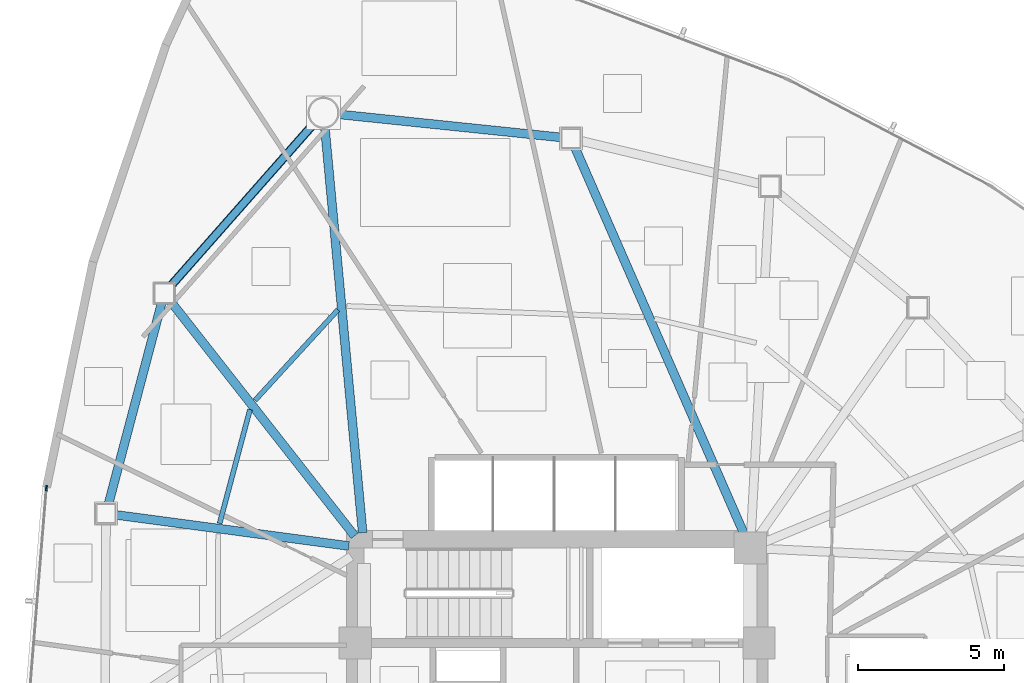
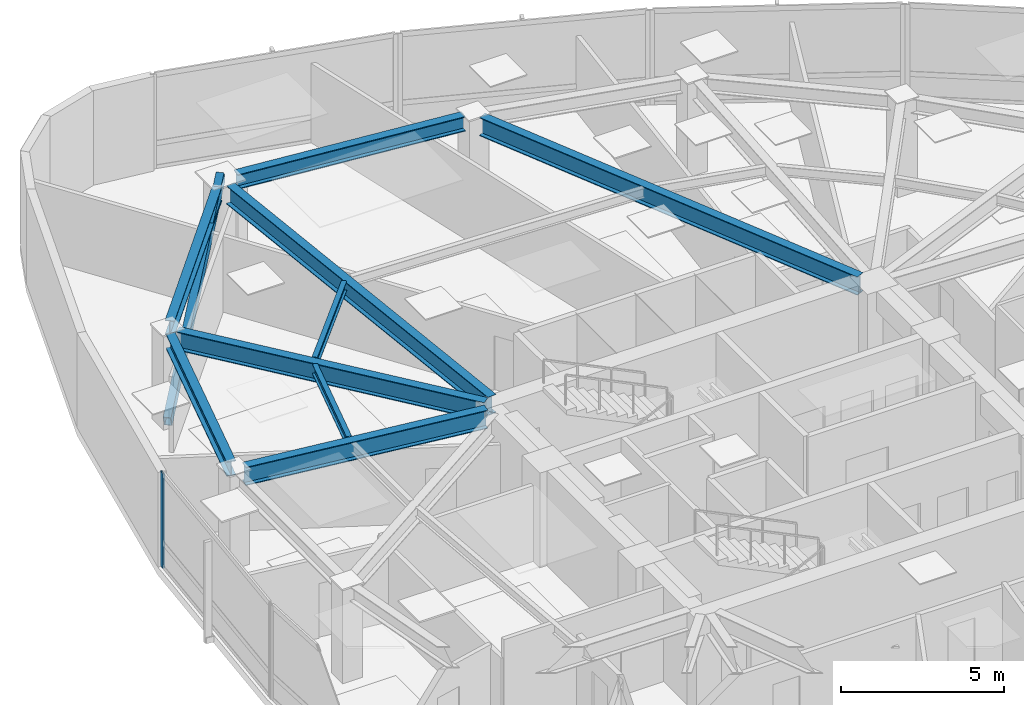
# One storey, part 7 of 17: 9 beams, 2 members, 1 element without a shape of its own.
"""IFC4 building model written with IfcOpenShell, lengths in metres."""

from ifc_helpers import new_model, si_unit, direction, frame, origin, origin_2d, place, context, subcontext, project, spatial, hollow_rectangle, i_section, extrude, source, transform, mapped, material, layer, layer_set, material_profile, profile_set, type_object, type_shapes, element, aggregate, save


model = new_model("IFC4")

# Units and contexts
model_context = context("Model", 3, precision=1e-05, world=origin(), true_north=direction((0.0, 1.0)))
body_context = subcontext(model_context, "Body", "Model", "MODEL_VIEW")
ifc_project = project(units=[si_unit("LENGTHUNIT", "METRE"), si_unit("AREAUNIT", "SQUARE_METRE"), si_unit("VOLUMEUNIT", "CUBIC_METRE"), si_unit("PLANEANGLEUNIT", "RADIAN"), si_unit("MASSUNIT", "GRAM", prefix="KILO")], contexts=[model_context])

# Site, building, storey
site_placement = place(None, origin())
site = spatial("IfcSite", under=ifc_project, at=site_placement, CompositionType="ELEMENT")
building_placement = place(site_placement, origin())
building = spatial("IfcBuilding", under=site, at=building_placement, Name="Tavelor Broadcast Tower", CompositionType="ELEMENT")
storey_placement = place(building_placement, frame((0.0, 0.0, 154.10009765625)))
storey = spatial("IfcBuildingStorey", under=building, at=storey_placement, Name="L36", CompositionType="ELEMENT", Elevation=154.10009765625)

# Beams
ifc_material_1 = material(Name="Steel S355", Category="steel")
ifc_material_profile_1 = material_profile(ifc_material_1, i_section(OverallWidth=0.169921875, OverallDepth=0.360107421875, WebThickness=0.008056640625, FlangeThickness=0.0126953125, at=origin_2d()), Name="IPE 360")
ifc_profile_set_1 = profile_set([ifc_material_profile_1], Name="Steel S355")
beam_type_1 = type_object("IfcBeamType", Name="Composite Floor Joist T3 IPE 360", PredefinedType="JOIST", material=ifc_profile_set_1)
beam_1_placement = place(storey_placement, frame((42.505126953125, 59.344970703125, 3.369873046875), z_axis=(-0.675177020038, -0.737655740581, 0.0), x_axis=(0.737655740581, -0.675177020038, 0.0)))
element("IfcBeam", 1, at=beam_1_placement, inside=storey, type_object=beam_type_1, Name="L36 Secondary Composite Floor Joist 01", PredefinedType="JOIST", context=body_context, shape_type="SweptSolid", body=[
    extrude(i_section(OverallWidth=0.169921875, OverallDepth=0.360107421875, WebThickness=0.008056640625, FlangeThickness=0.0126953125, at=origin_2d()), origin(), (0.0, 0.0, 1.0), 4.20068359375),
])
beam_2_placement = place(storey_placement, frame((39.5, 55.937744140625, 3.369873046875), z_axis=(-0.257647578953, -0.966238958571, 0.0), x_axis=(0.966238958571, -0.257647578953, 0.0)))
element("IfcBeam", 2, at=beam_2_placement, inside=storey, type_object=beam_type_1, Name="L36 Secondary Composite Floor Joist 02", PredefinedType="JOIST", context=body_context, shape_type="SweptSolid", body=[
    extrude(i_section(OverallWidth=0.169921875, OverallDepth=0.360107421875, WebThickness=0.008056640625, FlangeThickness=0.0126953125, at=origin_2d()), origin(), (0.0, 0.0, 1.0), 4.032958984375),
])
ifc_material_profile_2 = material_profile(ifc_material_1, i_section(OverallWidth=0.300048828125, OverallDepth=0.550048828125, WebThickness=0.014892578125, FlangeThickness=0.029052734375, at=origin_2d()), Name="HEB 550")
ifc_profile_set_2 = profile_set([ifc_material_profile_2], Name="Steel S355")
beam_type_2 = type_object("IfcBeamType", Name="Perimeter Spandrel Beam T3 HEB 550", PredefinedType="SPANDREL", material=ifc_profile_set_2)
beam_3_placement = place(storey_placement, frame((41.67236328125, 65.69580078125, 3.27490234375), z_axis=(-0.661628202511, -0.749832062292, 0.0), x_axis=(0.749832062292, -0.661628202511, 0.0)))
element("IfcBeam", 3, at=beam_3_placement, inside=storey, type_object=beam_type_2, Name="L36 Framed-Tube Ring Spandrel 01", PredefinedType="SPANDREL", context=body_context, shape_type="SweptSolid", body=[
    extrude(i_section(OverallWidth=0.300048828125, OverallDepth=0.550048828125, WebThickness=0.014892578125, FlangeThickness=0.029052734375, at=origin_2d()), origin(), (0.0, 0.0, 1.0), 7.379150390625),
])
beam_4_placement = place(storey_placement, frame((36.481689453125, 59.5859375, 3.27490234375), z_axis=(-0.255779440044, -0.966735164381, 0.0), x_axis=(0.966735164381, -0.255779440044, 0.0)))
element("IfcBeam", 4, at=beam_4_placement, inside=storey, type_object=beam_type_2, Name="L36 Framed-Tube Ring Spandrel 02", PredefinedType="SPANDREL", context=body_context, shape_type="SweptSolid", body=[
    extrude(i_section(OverallWidth=0.300048828125, OverallDepth=0.550048828125, WebThickness=0.014892578125, FlangeThickness=0.029052734375, at=origin_2d()), origin(), (0.0, 0.0, 1.0), 7.11865234375),
])
beam_5_placement = place(storey_placement, frame((50.13818359375, 65.23681640625, 3.27490234375), z_axis=(-0.994661371522, 0.103192809834, 0.0), x_axis=(-0.103192809834, -0.994661371522, 0.0)))
element("IfcBeam", 5, at=beam_5_placement, inside=storey, type_object=beam_type_2, Name="L36 Framed-Tube Ring Spandrel 18", PredefinedType="SPANDREL", context=body_context, shape_type="SweptSolid", body=[
    extrude(i_section(OverallWidth=0.300048828125, OverallDepth=0.550048828125, WebThickness=0.014892578125, FlangeThickness=0.029052734375, at=origin_2d()), origin(), (0.0, 0.0, 1.0), 7.658203125),
])

# Member
ifc_material_profile_3 = material_profile(ifc_material_1, hollow_rectangle(XDim=0.25, YDim=0.449951171875, WallThickness=0.02001953125, at=origin_2d()), Name="RHS 450x250x20")
ifc_profile_set_3 = profile_set([ifc_material_profile_3], Name="Steel S355")
member_type_1 = type_object("IfcMemberType", Name="Perimeter Tube Brace T3 RHS 450x250x20", PredefinedType="BRACE", material=ifc_profile_set_3)
member_1_placement = place(storey_placement, frame((36.567626953125, 59.91064453125, 0.0), z_axis=(0.607491147602, 0.688491783644, 0.396148418448), x_axis=(-0.74983872131, 0.661620655681, 0.0)))
element("IfcMember", 6, at=member_1_placement, inside=storey, type_object=member_type_1, Name="L36 Corner Tube Diagonal Brace 1", PredefinedType="BRACE", context=body_context, shape_type="SweptSolid", body=[
    extrude(hollow_rectangle(XDim=0.25, YDim=0.449951171875, WallThickness=0.02001953125, at=origin_2d()), origin(), (0.0, 0.0, 1.0), 8.960693359375),
])

# Beams
ifc_material_profile_4 = material_profile(ifc_material_1, i_section(OverallWidth=0.300048828125, OverallDepth=0.68994140625, WebThickness=0.014404296875, FlangeThickness=0.027099609375, at=origin_2d()), Name="HEA 700")
ifc_profile_set_4 = profile_set([ifc_material_profile_4], Name="Steel S355")
beam_type_3 = type_object("IfcBeamType", Name="Radial Floor Girder T3 HEA 700", PredefinedType="BEAM", material=ifc_profile_set_4)
beam_6_placement = place(storey_placement, frame((43.350830078125, 51.7255859375, 3.204833984375), z_axis=(-0.092918079293, 0.995673757081, 0.0), x_axis=(-0.995673757081, -0.092918079293, 0.0)))
element("IfcBeam", 7, at=beam_6_placement, inside=storey, type_object=beam_type_3, Name="L36 Radial Primary Floor Girder 01", PredefinedType="BEAM", context=body_context, shape_type="SweptSolid", body=[
    extrude(i_section(OverallWidth=0.300048828125, OverallDepth=0.68994140625, WebThickness=0.014404296875, FlangeThickness=0.027099609375, at=origin_2d()), origin(), (0.0, 0.0, 1.0), 13.904541015625),
])
beam_7_placement = place(storey_placement, frame((43.07421875, 51.615478515625, 3.204833984375), z_axis=(-0.617166360417, 0.786832690964, 0.0), x_axis=(-0.786832690964, -0.617166360417, 0.0)))
element("IfcBeam", 8, at=beam_7_placement, inside=storey, type_object=beam_type_3, Name="L36 Radial Primary Floor Girder 02", PredefinedType="BEAM", context=body_context, shape_type="SweptSolid", body=[
    extrude(i_section(OverallWidth=0.300048828125, OverallDepth=0.68994140625, WebThickness=0.014404296875, FlangeThickness=0.027099609375, at=origin_2d()), origin(), (0.0, 0.0, 1.0), 10.20654296875),
])
beam_8_placement = place(storey_placement, frame((42.876708984375, 51.27001953125, 3.204833984375), z_axis=(-0.991191527329, 0.132436234281, 0.0), x_axis=(-0.132436234281, -0.991191527329, 0.0)))
element("IfcBeam", 9, at=beam_8_placement, inside=storey, type_object=beam_type_3, Name="L36 Radial Primary Floor Girder 03", PredefinedType="BEAM", context=body_context, shape_type="SweptSolid", body=[
    extrude(i_section(OverallWidth=0.300048828125, OverallDepth=0.68994140625, WebThickness=0.014404296875, FlangeThickness=0.027099609375, at=origin_2d()), origin(), (0.0, 0.0, 1.0), 8.039306640625),
])
beam_9_placement = place(storey_placement, frame((56.38818359375, 51.68359375, 3.204833984375), z_axis=(-0.400896102053, 0.916123526255, 0.0), x_axis=(-0.916123526255, -0.400896102053, 0.0)))
element("IfcBeam", 10, at=beam_9_placement, inside=storey, type_object=beam_type_3, Name="L36 Radial Primary Floor Girder 18", PredefinedType="BEAM", context=body_context, shape_type="SweptSolid", body=[
    extrude(i_section(OverallWidth=0.300048828125, OverallDepth=0.68994140625, WebThickness=0.014404296875, FlangeThickness=0.027099609375, at=origin_2d()), origin(), (0.0, 0.0, 1.0), 14.420166015625),
])

# Curtain wall, member
ifc_material_2 = material(Name="Architectural Anodized Aluminium", Category="aluminium")
ifc_layer = layer(ifc_material_2, 0.18994140625)
ifc_layer_set = layer_set([ifc_layer], Name="Architectural Anodized Aluminium")
curtain_wall_type = type_object("IfcCurtainWallType", Name="Tower Mid-Zone Acoustic Curtain Wall CW03", PredefinedType="NOTDEFINED", material=ifc_layer_set)
curtain_wall_placement = place(storey_placement, origin())
curtain_wall = element("IfcCurtainWall", 11, at=curtain_wall_placement, inside=storey, type_object=curtain_wall_type, Name="L36 Curtain Wall CW03 Run 373", PredefinedType="NOTDEFINED")
ifc_material_profile_5 = material_profile(ifc_material_2, hollow_rectangle(XDim=0.068115234375, YDim=0.18994140625, WallThickness=0.02197265625, at=origin_2d()), Name="RHS 68x190x22")
ifc_profile_set_5 = profile_set([ifc_material_profile_5], Name="Architectural Anodized Aluminium")
member_type_2 = type_object("IfcMemberType", Name="CW03 Extruded Aluminium Mullion 68x190", PredefinedType="MULLION", material=ifc_profile_set_5)
shared_shape = source(origin(), body_context, "Body", "SweptSolid", [
    extrude(hollow_rectangle(XDim=0.068115234375, YDim=0.18994140625, WallThickness=0.02197265625, at=origin_2d()), origin(), (0.0, 0.0, 1.0), 3.5498046875),
])
type_shapes(member_type_2, [shared_shape])
member_2_placement = place(storey_placement, frame((32.5400390625, 53.245849609375, 0.0), z_axis=(0.0, 0.0, 1.0), x_axis=(0.996673053965, -0.08150351833, 0.0)))
member_2 = element("IfcMember", 12, at=member_2_placement, type_object=member_type_2, Name="CW03 mullion 1", PredefinedType="MULLION", context=body_context, shape_type="MappedRepresentation", body=[
    mapped(shared_shape, transform((0.0, 0.0, 0.0), scale=1.0)),
])
aggregate(curtain_wall, [member_2])

save(model, "model.ifc")
